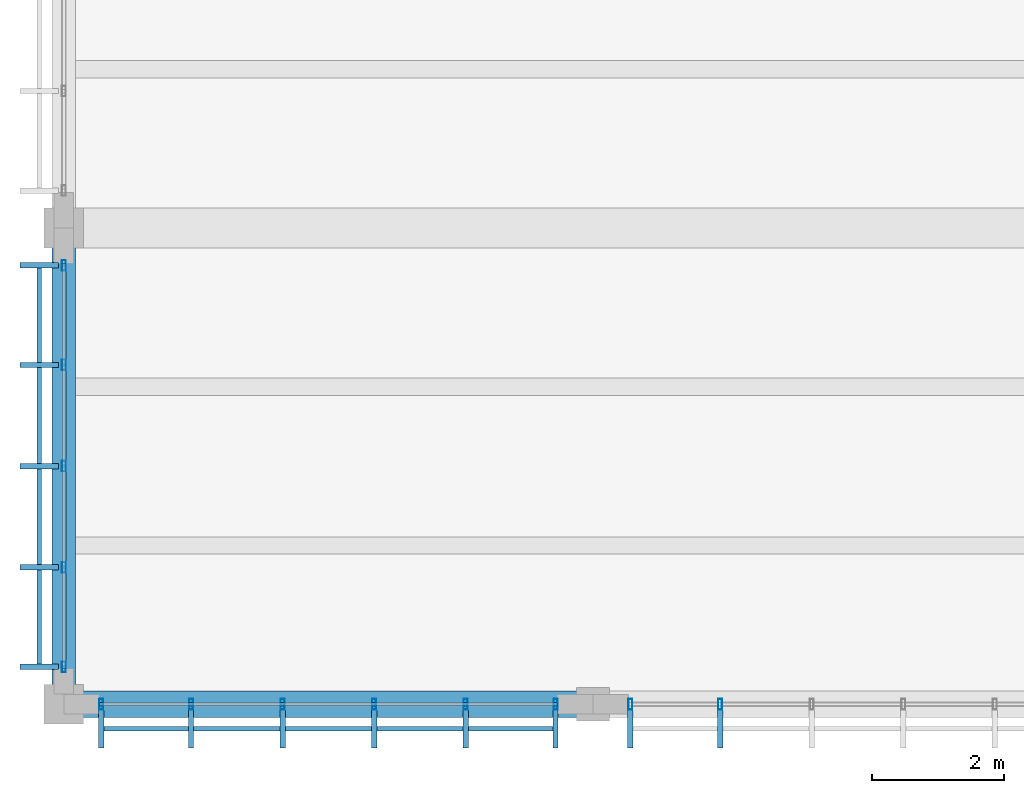
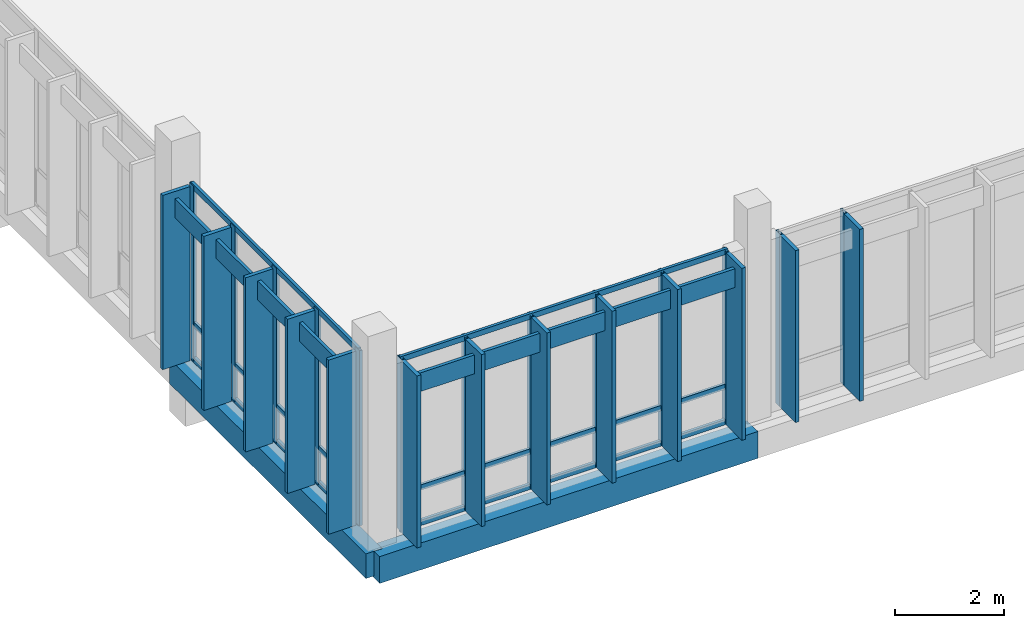
# One storey, part 11 of 177: 34 members, 2 beams, 3 elements without a shape of their own.
"""IFC4 building model written with IfcOpenShell, lengths in metres."""

from ifc_helpers import new_model, si_unit, direction, frame, origin, origin_2d, place, context, subcontext, project, spatial, rectangle, hollow_rectangle, extrude, material, material_profile, profile_set, type_object, element, aggregate, save


model = new_model("IFC4")

# Units and contexts
model_context = context("Model", 3, precision=1e-05, world=origin(), true_north=direction((0.0, 1.0)))
body_context = subcontext(model_context, "Body", "Model", "MODEL_VIEW")
ifc_project = project(units=[si_unit("LENGTHUNIT", "METRE"), si_unit("AREAUNIT", "SQUARE_METRE"), si_unit("VOLUMEUNIT", "CUBIC_METRE"), si_unit("PLANEANGLEUNIT", "RADIAN"), si_unit("MASSUNIT", "GRAM", prefix="KILO")], contexts=[model_context])

# Site, building, storey
site_placement = place(None, origin())
site = spatial("IfcSite", under=ifc_project, at=site_placement, CompositionType="ELEMENT")
building_placement = place(site_placement, origin())
building = spatial("IfcBuilding", under=site, at=building_placement, Name="Chiffa Square Polytechnic", CompositionType="ELEMENT")
storey_placement = place(building_placement, frame((0.0, 0.0, 4.800048828125)))
storey = spatial("IfcBuildingStorey", under=building, at=storey_placement, Name="L01", CompositionType="ELEMENT", Elevation=4.800048828125)

# Beams
ifc_material_1 = material(Name="Concrete C35/45", Category="concrete")
ifc_material_profile_1 = material_profile(ifc_material_1, rectangle(XDim=0.35009765625, YDim=0.550048828125, at=origin_2d()), Name="RC 350x550")
ifc_profile_set_1 = profile_set([ifc_material_profile_1], Name="Concrete C35/45")
beam_type_1 = type_object("IfcBeamType", Name="BM-RC-350X550", PredefinedType="BEAM", material=ifc_profile_set_1)
beam_1_placement = place(storey_placement, frame((0.0, 0.0, -0.554931640625), z_axis=(0.0, 1.0, 0.0), x_axis=(-1.0, 0.0, 0.0)))
element("IfcBeam", 1, at=beam_1_placement, inside=storey, type_object=beam_type_1, Name="Primary floor girder BM-V3-L01-Y-0000-0000", PredefinedType="BEAM", context=body_context, shape_type="SweptSolid", body=[
    extrude(rectangle(XDim=0.35009765625, YDim=0.550048828125, at=origin_2d()), origin(), (0.0, 0.0, 1.0), 7.199951171875),
])
ifc_material_profile_2 = material_profile(ifc_material_1, rectangle(XDim=0.39990234375, YDim=0.60009765625, at=origin_2d()), Name="RC 400x600")
ifc_profile_set_2 = profile_set([ifc_material_profile_2], Name="Concrete C35/45")
beam_type_2 = type_object("IfcBeamType", Name="BM-RC-400X600", PredefinedType="BEAM", material=ifc_profile_set_2)
beam_2_placement = place(storey_placement, frame((0.0, 0.0, -0.580078125), z_axis=(1.0, 0.0, 0.0), x_axis=(0.0, 1.0, 0.0)))
element("IfcBeam", 2, at=beam_2_placement, inside=storey, type_object=beam_type_2, Name="Primary floor girder BM-V3-L01-X-0000-0000", PredefinedType="BEAM", context=body_context, shape_type="SweptSolid", body=[
    extrude(rectangle(XDim=0.39990234375, YDim=0.60009765625, at=origin_2d()), origin(), (0.0, 0.0, 1.0), 8.0),
])

# Curtain wall, members
ifc_material_2 = material(Name="Aluminium EN AW-6060 T66 and glulam shading", Category="wood")
curtain_wall_type_1 = type_object("IfcCurtainWallType", Name="CW-VERT-600X440", PredefinedType="USERDEFINED", material=ifc_material_2)
curtain_wall_1_placement = place(storey_placement, origin())
curtain_wall_1 = element("IfcCurtainWall", 3, at=curtain_wall_1_placement, inside=storey, type_object=curtain_wall_type_1, Name="Curtain wall CW-V3-L01-153", ObjectType="CURTAIN WALL", PredefinedType="USERDEFINED")
ifc_material_3 = material(Name="Aluminium EN AW-6060 T66", Category="aluminium")
ifc_material_profile_3 = material_profile(ifc_material_3, hollow_rectangle(XDim=0.06005859375, YDim=0.159912109375, WallThickness=0.00390625, at=origin_2d()), Name="ALU 60x160x4")
ifc_profile_set_3 = profile_set([ifc_material_profile_3], Name="Aluminium EN AW-6060 T66")
member_type_1 = type_object("IfcMemberType", Name="CWM-ALU-65X150", PredefinedType="MULLION", material=ifc_profile_set_3)
member_1_placement = place(storey_placement, frame((0.56494140625, 0.0, 0.0), z_axis=(0.0, 0.0, 1.0), x_axis=(1.0, 0.0, 0.0)))
member_1 = element("IfcMember", 4, at=member_1_placement, type_object=member_type_1, Name="Curtain wall mullion CW-V3-L01-153-M00", PredefinedType="MULLION", context=body_context, shape_type="SweptSolid", body=[
    extrude(hollow_rectangle(XDim=0.06005859375, YDim=0.159912109375, WallThickness=0.00390625, at=origin_2d()), origin(), (0.0, 0.0, 1.0), 3.864990234375),
])
member_2_placement = place(storey_placement, frame((1.924072265625, 0.0, 0.0), z_axis=(0.0, 0.0, 1.0), x_axis=(1.0, 0.0, 0.0)))
member_2 = element("IfcMember", 5, at=member_2_placement, type_object=member_type_1, Name="Curtain wall mullion CW-V3-L01-153-M01", PredefinedType="MULLION", context=body_context, shape_type="SweptSolid", body=[
    extrude(hollow_rectangle(XDim=0.06005859375, YDim=0.159912109375, WallThickness=0.00390625, at=origin_2d()), origin(), (0.0, 0.0, 1.0), 3.864990234375),
])
member_3_placement = place(storey_placement, frame((3.30810546875, 0.0, 0.0), z_axis=(0.0, 0.0, 1.0), x_axis=(1.0, 0.0, 0.0)))
member_3 = element("IfcMember", 6, at=member_3_placement, type_object=member_type_1, Name="Curtain wall mullion CW-V3-L01-153-M02", PredefinedType="MULLION", context=body_context, shape_type="SweptSolid", body=[
    extrude(hollow_rectangle(XDim=0.06005859375, YDim=0.159912109375, WallThickness=0.00390625, at=origin_2d()), origin(), (0.0, 0.0, 1.0), 3.864990234375),
])
member_4_placement = place(storey_placement, frame((4.69189453125, 0.0, 0.0), z_axis=(0.0, 0.0, 1.0), x_axis=(1.0, 0.0, 0.0)))
member_4 = element("IfcMember", 7, at=member_4_placement, type_object=member_type_1, Name="Curtain wall mullion CW-V3-L01-153-M03", PredefinedType="MULLION", context=body_context, shape_type="SweptSolid", body=[
    extrude(hollow_rectangle(XDim=0.06005859375, YDim=0.159912109375, WallThickness=0.00390625, at=origin_2d()), origin(), (0.0, 0.0, 1.0), 3.864990234375),
])
member_5_placement = place(storey_placement, frame((6.075927734375, 0.0, 0.0), z_axis=(0.0, 0.0, 1.0), x_axis=(1.0, 0.0, 0.0)))
member_5 = element("IfcMember", 8, at=member_5_placement, type_object=member_type_1, Name="Curtain wall mullion CW-V3-L01-153-M04", PredefinedType="MULLION", context=body_context, shape_type="SweptSolid", body=[
    extrude(hollow_rectangle(XDim=0.06005859375, YDim=0.159912109375, WallThickness=0.00390625, at=origin_2d()), origin(), (0.0, 0.0, 1.0), 3.864990234375),
])
member_6_placement = place(storey_placement, frame((7.43505859375, 0.0, 0.0), z_axis=(0.0, 0.0, 1.0), x_axis=(1.0, 0.0, 0.0)))
member_6 = element("IfcMember", 9, at=member_6_placement, type_object=member_type_1, Name="Curtain wall mullion CW-V3-L01-153-M05", PredefinedType="MULLION", context=body_context, shape_type="SweptSolid", body=[
    extrude(hollow_rectangle(XDim=0.06005859375, YDim=0.159912109375, WallThickness=0.00390625, at=origin_2d()), origin(), (0.0, 0.0, 1.0), 3.864990234375),
])

curtain_wall_type_2 = type_object("IfcCurtainWallType", Name="CW-VERT-450X380", PredefinedType="USERDEFINED", material=ifc_material_2)
curtain_wall_2_placement = place(storey_placement, origin())
curtain_wall_2 = element("IfcCurtainWall", 10, at=curtain_wall_2_placement, inside=storey, type_object=curtain_wall_type_2, Name="Curtain wall CW-V3-L01-154", ObjectType="CURTAIN WALL", PredefinedType="USERDEFINED")
member_7_placement = place(storey_placement, frame((8.56494140625, 0.0, 0.0), z_axis=(0.0, 0.0, 1.0), x_axis=(1.0, 0.0, 0.0)))
member_7 = element("IfcMember", 11, at=member_7_placement, type_object=member_type_1, Name="Curtain wall mullion CW-V3-L01-154-M00", PredefinedType="MULLION", context=body_context, shape_type="SweptSolid", body=[
    extrude(hollow_rectangle(XDim=0.06005859375, YDim=0.159912109375, WallThickness=0.00390625, at=origin_2d()), origin(), (0.0, 0.0, 1.0), 3.864990234375),
])
member_8_placement = place(storey_placement, frame((9.924072265625, 0.0, 0.0), z_axis=(0.0, 0.0, 1.0), x_axis=(1.0, 0.0, 0.0)))
member_8 = element("IfcMember", 12, at=member_8_placement, type_object=member_type_1, Name="Curtain wall mullion CW-V3-L01-154-M01", PredefinedType="MULLION", context=body_context, shape_type="SweptSolid", body=[
    extrude(hollow_rectangle(XDim=0.06005859375, YDim=0.159912109375, WallThickness=0.00390625, at=origin_2d()), origin(), (0.0, 0.0, 1.0), 3.864990234375),
])

curtain_wall_type_3 = type_object("IfcCurtainWallType", Name="CW-VERT-600X380", PredefinedType="USERDEFINED", material=ifc_material_2)
curtain_wall_3_placement = place(storey_placement, origin())
curtain_wall_3 = element("IfcCurtainWall", 13, at=curtain_wall_3_placement, inside=storey, type_object=curtain_wall_type_3, Name="Curtain wall CW-V3-L01-164", ObjectType="CURTAIN WALL", PredefinedType="USERDEFINED")
member_9_placement = place(storey_placement, frame((0.0, 6.635009765625, 0.0), z_axis=(0.0, 0.0, 1.0), x_axis=(1.0, 0.0, 0.0)))
member_9 = element("IfcMember", 14, at=member_9_placement, type_object=member_type_1, Name="Curtain wall mullion CW-V3-L01-164-M00", PredefinedType="MULLION", context=body_context, shape_type="SweptSolid", body=[
    extrude(hollow_rectangle(XDim=0.06005859375, YDim=0.159912109375, WallThickness=0.00390625, at=origin_2d()), origin(), (0.0, 0.0, 1.0), 3.9150390625),
])
member_10_placement = place(storey_placement, frame((0.0, 5.1298828125, 0.0), z_axis=(0.0, 0.0, 1.0), x_axis=(1.0, 0.0, 0.0)))
member_10 = element("IfcMember", 15, at=member_10_placement, type_object=member_type_1, Name="Curtain wall mullion CW-V3-L01-164-M01", PredefinedType="MULLION", context=body_context, shape_type="SweptSolid", body=[
    extrude(hollow_rectangle(XDim=0.06005859375, YDim=0.159912109375, WallThickness=0.00390625, at=origin_2d()), origin(), (0.0, 0.0, 1.0), 3.9150390625),
])
member_11_placement = place(storey_placement, frame((0.0, 3.60009765625, 0.0), z_axis=(0.0, 0.0, 1.0), x_axis=(1.0, 0.0, 0.0)))
member_11 = element("IfcMember", 16, at=member_11_placement, type_object=member_type_1, Name="Curtain wall mullion CW-V3-L01-164-M02", PredefinedType="MULLION", context=body_context, shape_type="SweptSolid", body=[
    extrude(hollow_rectangle(XDim=0.06005859375, YDim=0.159912109375, WallThickness=0.00390625, at=origin_2d()), origin(), (0.0, 0.0, 1.0), 3.9150390625),
])
member_12_placement = place(storey_placement, frame((0.0, 2.070068359375, 0.0), z_axis=(0.0, 0.0, 1.0), x_axis=(1.0, 0.0, 0.0)))
member_12 = element("IfcMember", 17, at=member_12_placement, type_object=member_type_1, Name="Curtain wall mullion CW-V3-L01-164-M03", PredefinedType="MULLION", context=body_context, shape_type="SweptSolid", body=[
    extrude(hollow_rectangle(XDim=0.06005859375, YDim=0.159912109375, WallThickness=0.00390625, at=origin_2d()), origin(), (0.0, 0.0, 1.0), 3.9150390625),
])
member_13_placement = place(storey_placement, frame((0.0, 0.56494140625, 0.0), z_axis=(0.0, 0.0, 1.0), x_axis=(1.0, 0.0, 0.0)))
member_13 = element("IfcMember", 18, at=member_13_placement, type_object=member_type_1, Name="Curtain wall mullion CW-V3-L01-164-M04", PredefinedType="MULLION", context=body_context, shape_type="SweptSolid", body=[
    extrude(hollow_rectangle(XDim=0.06005859375, YDim=0.159912109375, WallThickness=0.00390625, at=origin_2d()), origin(), (0.0, 0.0, 1.0), 3.9150390625),
])

# Member
ifc_material_4 = material(Name="Glulam GL28h", Category="wood")
ifc_material_profile_4 = material_profile(ifc_material_4, rectangle(XDim=0.080078125, YDim=0.580078125, at=origin_2d()), Name="GL28h 80x580")
ifc_profile_set_4 = profile_set([ifc_material_profile_4], Name="Glulam GL28h")
member_type_2 = type_object("IfcMemberType", Name="CWM-GL-80X580", PredefinedType="MULLION", material=ifc_profile_set_4)
member_14_placement = place(storey_placement, frame((0.56494140625, -0.3720703125, 0.010009765625), z_axis=(0.0, 0.0, 1.0), x_axis=(1.0, 0.0, 0.0)))
member_14 = element("IfcMember", 19, at=member_14_placement, type_object=member_type_2, Name="Exterior glulam solar fin CW-V3-L01-153-FN00", PredefinedType="MULLION", context=body_context, shape_type="SweptSolid", body=[
    extrude(rectangle(XDim=0.080078125, YDim=0.580078125, at=origin_2d()), origin(), (0.0, 0.0, 1.0), 3.844970703125),
])

member_15_placement = place(storey_placement, frame((1.924072265625, -0.3720703125, 0.010009765625), z_axis=(0.0, 0.0, 1.0), x_axis=(1.0, 0.0, 0.0)))
member_15 = element("IfcMember", 20, at=member_15_placement, type_object=member_type_2, Name="Exterior glulam solar fin CW-V3-L01-153-FN01", PredefinedType="MULLION", context=body_context, shape_type="SweptSolid", body=[
    extrude(rectangle(XDim=0.080078125, YDim=0.580078125, at=origin_2d()), origin(), (0.0, 0.0, 1.0), 3.844970703125),
])

member_16_placement = place(storey_placement, frame((3.30810546875, -0.3720703125, 0.010009765625), z_axis=(0.0, 0.0, 1.0), x_axis=(1.0, 0.0, 0.0)))
member_16 = element("IfcMember", 21, at=member_16_placement, type_object=member_type_2, Name="Exterior glulam solar fin CW-V3-L01-153-FN02", PredefinedType="MULLION", context=body_context, shape_type="SweptSolid", body=[
    extrude(rectangle(XDim=0.080078125, YDim=0.580078125, at=origin_2d()), origin(), (0.0, 0.0, 1.0), 3.844970703125),
])

member_17_placement = place(storey_placement, frame((4.69189453125, -0.3720703125, 0.010009765625), z_axis=(0.0, 0.0, 1.0), x_axis=(1.0, 0.0, 0.0)))
member_17 = element("IfcMember", 22, at=member_17_placement, type_object=member_type_2, Name="Exterior glulam solar fin CW-V3-L01-153-FN03", PredefinedType="MULLION", context=body_context, shape_type="SweptSolid", body=[
    extrude(rectangle(XDim=0.080078125, YDim=0.580078125, at=origin_2d()), origin(), (0.0, 0.0, 1.0), 3.844970703125),
])

member_18_placement = place(storey_placement, frame((6.075927734375, -0.3720703125, 0.010009765625), z_axis=(0.0, 0.0, 1.0), x_axis=(1.0, 0.0, 0.0)))
member_18 = element("IfcMember", 23, at=member_18_placement, type_object=member_type_2, Name="Exterior glulam solar fin CW-V3-L01-153-FN04", PredefinedType="MULLION", context=body_context, shape_type="SweptSolid", body=[
    extrude(rectangle(XDim=0.080078125, YDim=0.580078125, at=origin_2d()), origin(), (0.0, 0.0, 1.0), 3.844970703125),
])

member_19_placement = place(storey_placement, frame((7.43505859375, -0.3720703125, 0.010009765625), z_axis=(0.0, 0.0, 1.0), x_axis=(1.0, 0.0, 0.0)))
member_19 = element("IfcMember", 24, at=member_19_placement, type_object=member_type_2, Name="Exterior glulam solar fin CW-V3-L01-153-FN05", PredefinedType="MULLION", context=body_context, shape_type="SweptSolid", body=[
    extrude(rectangle(XDim=0.080078125, YDim=0.580078125, at=origin_2d()), origin(), (0.0, 0.0, 1.0), 3.844970703125),
])

member_20_placement = place(storey_placement, frame((8.56494140625, -0.3720703125, 0.010009765625), z_axis=(0.0, 0.0, 1.0), x_axis=(1.0, 0.0, 0.0)))
member_20 = element("IfcMember", 25, at=member_20_placement, type_object=member_type_2, Name="Exterior glulam solar fin CW-V3-L01-154-FN00", PredefinedType="MULLION", context=body_context, shape_type="SweptSolid", body=[
    extrude(rectangle(XDim=0.080078125, YDim=0.580078125, at=origin_2d()), origin(), (0.0, 0.0, 1.0), 3.844970703125),
])

member_21_placement = place(storey_placement, frame((9.924072265625, -0.3720703125, 0.010009765625), z_axis=(0.0, 0.0, 1.0), x_axis=(1.0, 0.0, 0.0)))
member_21 = element("IfcMember", 26, at=member_21_placement, type_object=member_type_2, Name="Exterior glulam solar fin CW-V3-L01-154-FN01", PredefinedType="MULLION", context=body_context, shape_type="SweptSolid", body=[
    extrude(rectangle(XDim=0.080078125, YDim=0.580078125, at=origin_2d()), origin(), (0.0, 0.0, 1.0), 3.844970703125),
])

aggregate(curtain_wall_2, [member_7, member_20, member_8, member_21])

member_22_placement = place(storey_placement, frame((-0.3720703125, 6.635009765625, 0.010009765625), z_axis=(0.0, 0.0, 1.0), x_axis=(0.0, -1.0, 0.0)))
member_22 = element("IfcMember", 27, at=member_22_placement, type_object=member_type_2, Name="Exterior glulam solar fin CW-V3-L01-164-FN00", PredefinedType="MULLION", context=body_context, shape_type="SweptSolid", body=[
    extrude(rectangle(XDim=0.080078125, YDim=0.580078125, at=origin_2d()), origin(), (0.0, 0.0, 1.0), 3.89501953125),
])

member_23_placement = place(storey_placement, frame((-0.3720703125, 5.1298828125, 0.010009765625), z_axis=(0.0, 0.0, 1.0), x_axis=(0.0, -1.0, 0.0)))
member_23 = element("IfcMember", 28, at=member_23_placement, type_object=member_type_2, Name="Exterior glulam solar fin CW-V3-L01-164-FN01", PredefinedType="MULLION", context=body_context, shape_type="SweptSolid", body=[
    extrude(rectangle(XDim=0.080078125, YDim=0.580078125, at=origin_2d()), origin(), (0.0, 0.0, 1.0), 3.89501953125),
])

member_24_placement = place(storey_placement, frame((-0.3720703125, 3.60009765625, 0.010009765625), z_axis=(0.0, 0.0, 1.0), x_axis=(0.0, -1.0, 0.0)))
member_24 = element("IfcMember", 29, at=member_24_placement, type_object=member_type_2, Name="Exterior glulam solar fin CW-V3-L01-164-FN02", PredefinedType="MULLION", context=body_context, shape_type="SweptSolid", body=[
    extrude(rectangle(XDim=0.080078125, YDim=0.580078125, at=origin_2d()), origin(), (0.0, 0.0, 1.0), 3.89501953125),
])

member_25_placement = place(storey_placement, frame((-0.3720703125, 2.070068359375, 0.010009765625), z_axis=(0.0, 0.0, 1.0), x_axis=(0.0, -1.0, 0.0)))
member_25 = element("IfcMember", 30, at=member_25_placement, type_object=member_type_2, Name="Exterior glulam solar fin CW-V3-L01-164-FN03", PredefinedType="MULLION", context=body_context, shape_type="SweptSolid", body=[
    extrude(rectangle(XDim=0.080078125, YDim=0.580078125, at=origin_2d()), origin(), (0.0, 0.0, 1.0), 3.89501953125),
])

member_26_placement = place(storey_placement, frame((-0.3720703125, 0.56494140625, 0.010009765625), z_axis=(0.0, 0.0, 1.0), x_axis=(0.0, -1.0, 0.0)))
member_26 = element("IfcMember", 31, at=member_26_placement, type_object=member_type_2, Name="Exterior glulam solar fin CW-V3-L01-164-FN04", PredefinedType="MULLION", context=body_context, shape_type="SweptSolid", body=[
    extrude(rectangle(XDim=0.080078125, YDim=0.580078125, at=origin_2d()), origin(), (0.0, 0.0, 1.0), 3.89501953125),
])

ifc_material_profile_5 = material_profile(ifc_material_3, hollow_rectangle(XDim=0.06005859375, YDim=0.1201171875, WallThickness=0.00390625, at=origin_2d()), Name="ALU 60x120x4")
ifc_profile_set_5 = profile_set([ifc_material_profile_5], Name="Aluminium EN AW-6060 T66")
member_type_3 = type_object("IfcMemberType", Name="CWT-ALU-65X120", PredefinedType="USERDEFINED", material=ifc_profile_set_5)
member_27_placement = place(storey_placement, frame((0.5380859375, 0.0, 0.030029296875), z_axis=(1.0, 0.0, 0.0), x_axis=(0.0, 1.0, 0.0)))
member_27 = element("IfcMember", 32, at=member_27_placement, type_object=member_type_3, Name="Curtain wall transom CW-V3-L01-153-T01", ObjectType="TRANSOM", PredefinedType="USERDEFINED", context=body_context, shape_type="SweptSolid", body=[
    extrude(hollow_rectangle(XDim=0.06005859375, YDim=0.1201171875, WallThickness=0.00390625, at=origin_2d()), origin(), (0.0, 0.0, 1.0), 6.923828125),
])

member_28_placement = place(storey_placement, frame((0.5380859375, 0.0, 0.820068359375), z_axis=(1.0, 0.0, 0.0), x_axis=(0.0, 1.0, 0.0)))
member_28 = element("IfcMember", 33, at=member_28_placement, type_object=member_type_3, Name="Curtain wall transom CW-V3-L01-153-T02", ObjectType="TRANSOM", PredefinedType="USERDEFINED", context=body_context, shape_type="SweptSolid", body=[
    extrude(hollow_rectangle(XDim=0.06005859375, YDim=0.1201171875, WallThickness=0.00390625, at=origin_2d()), origin(), (0.0, 0.0, 1.0), 6.923828125),
])

member_29_placement = place(storey_placement, frame((0.5380859375, 0.0, 3.8349609375), z_axis=(1.0, 0.0, 0.0), x_axis=(0.0, 1.0, 0.0)))
member_29 = element("IfcMember", 34, at=member_29_placement, type_object=member_type_3, Name="Curtain wall transom CW-V3-L01-153-T03", ObjectType="TRANSOM", PredefinedType="USERDEFINED", context=body_context, shape_type="SweptSolid", body=[
    extrude(hollow_rectangle(XDim=0.06005859375, YDim=0.1201171875, WallThickness=0.00390625, at=origin_2d()), origin(), (0.0, 0.0, 1.0), 6.923828125),
])

member_30_placement = place(storey_placement, frame((0.0, 6.662109375, 0.030029296875), z_axis=(0.0, -1.0, 0.0), x_axis=(1.0, 0.0, 0.0)))
member_30 = element("IfcMember", 35, at=member_30_placement, type_object=member_type_3, Name="Curtain wall transom CW-V3-L01-164-T01", ObjectType="TRANSOM", PredefinedType="USERDEFINED", context=body_context, shape_type="SweptSolid", body=[
    extrude(hollow_rectangle(XDim=0.06005859375, YDim=0.1201171875, WallThickness=0.00390625, at=origin_2d()), origin(), (0.0, 0.0, 1.0), 6.1240234375),
])

member_31_placement = place(storey_placement, frame((0.0, 6.662109375, 0.820068359375), z_axis=(0.0, -1.0, 0.0), x_axis=(1.0, 0.0, 0.0)))
member_31 = element("IfcMember", 36, at=member_31_placement, type_object=member_type_3, Name="Curtain wall transom CW-V3-L01-164-T02", ObjectType="TRANSOM", PredefinedType="USERDEFINED", context=body_context, shape_type="SweptSolid", body=[
    extrude(hollow_rectangle(XDim=0.06005859375, YDim=0.1201171875, WallThickness=0.00390625, at=origin_2d()), origin(), (0.0, 0.0, 1.0), 6.1240234375),
])

member_32_placement = place(storey_placement, frame((0.0, 6.662109375, 3.885009765625), z_axis=(0.0, -1.0, 0.0), x_axis=(1.0, 0.0, 0.0)))
member_32 = element("IfcMember", 37, at=member_32_placement, type_object=member_type_3, Name="Curtain wall transom CW-V3-L01-164-T03", ObjectType="TRANSOM", PredefinedType="USERDEFINED", context=body_context, shape_type="SweptSolid", body=[
    extrude(hollow_rectangle(XDim=0.06005859375, YDim=0.1201171875, WallThickness=0.00390625, at=origin_2d()), origin(), (0.0, 0.0, 1.0), 6.1240234375),
])

ifc_material_profile_6 = material_profile(ifc_material_4, rectangle(XDim=0.070068359375, YDim=0.419921875, at=origin_2d()), Name="GL28h 70x420")
ifc_profile_set_6 = profile_set([ifc_material_profile_6], Name="Glulam GL28h")
member_type_4 = type_object("IfcMemberType", Name="CWT-GL-70X420", PredefinedType="USERDEFINED", material=ifc_profile_set_6)
member_33_placement = place(storey_placement, frame((0.56494140625, -0.3720703125, 3.48486328125), z_axis=(1.0, 0.0, 0.0), x_axis=(0.0, 1.0, 0.0)))
member_33 = element("IfcMember", 38, at=member_33_placement, type_object=member_type_4, Name="Exterior glulam brise-soleil CW-V3-L01-153-BS01", ObjectType="TRANSOM", PredefinedType="USERDEFINED", context=body_context, shape_type="SweptSolid", body=[
    extrude(rectangle(XDim=0.070068359375, YDim=0.419921875, at=origin_2d()), origin(), (0.0, 0.0, 1.0), 6.8701171875),
])

aggregate(curtain_wall_1, [member_1, member_14, member_2, member_15, member_3, member_16, member_4, member_17, member_5, member_18, member_6, member_19, member_27, member_28, member_29, member_33])

member_34_placement = place(storey_placement, frame((-0.3720703125, 6.635009765625, 3.534912109375), z_axis=(0.0, -1.0, 0.0), x_axis=(1.0, 0.0, 0.0)))
member_34 = element("IfcMember", 39, at=member_34_placement, type_object=member_type_4, Name="Exterior glulam brise-soleil CW-V3-L01-164-BS01", ObjectType="TRANSOM", PredefinedType="USERDEFINED", context=body_context, shape_type="SweptSolid", body=[
    extrude(rectangle(XDim=0.070068359375, YDim=0.419921875, at=origin_2d()), origin(), (0.0, 0.0, 1.0), 6.070068359375),
])

aggregate(curtain_wall_3, [member_9, member_22, member_10, member_23, member_11, member_24, member_12, member_25, member_13, member_26, member_30, member_31, member_32, member_34])

save(model, "model.ifc")
